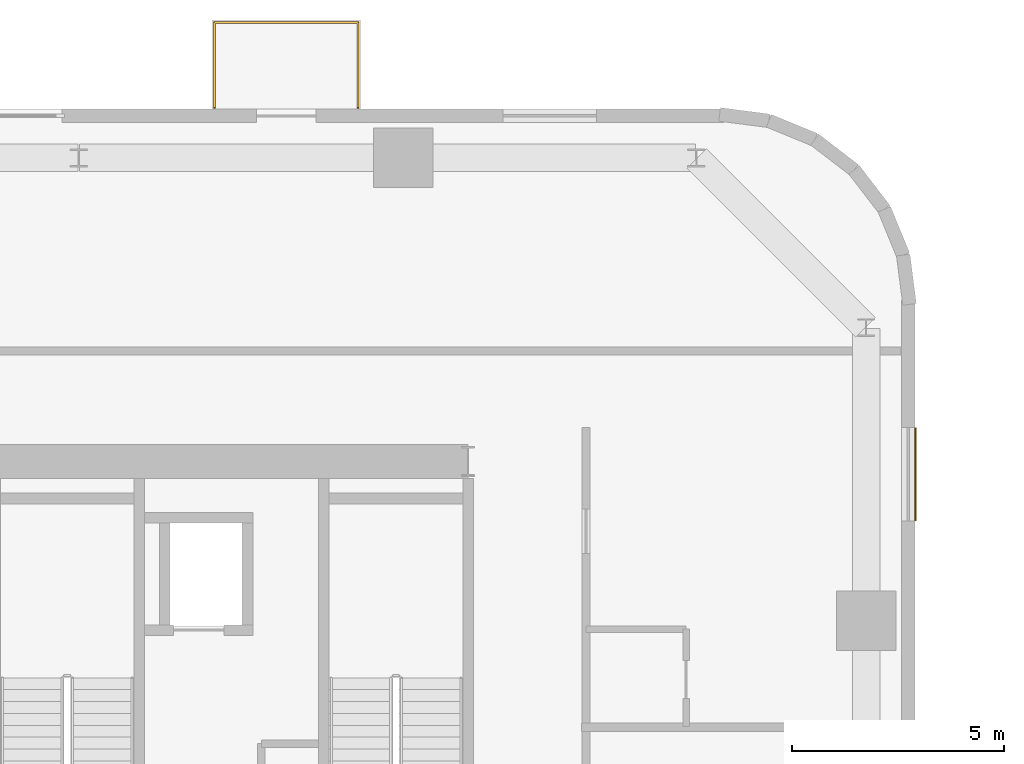
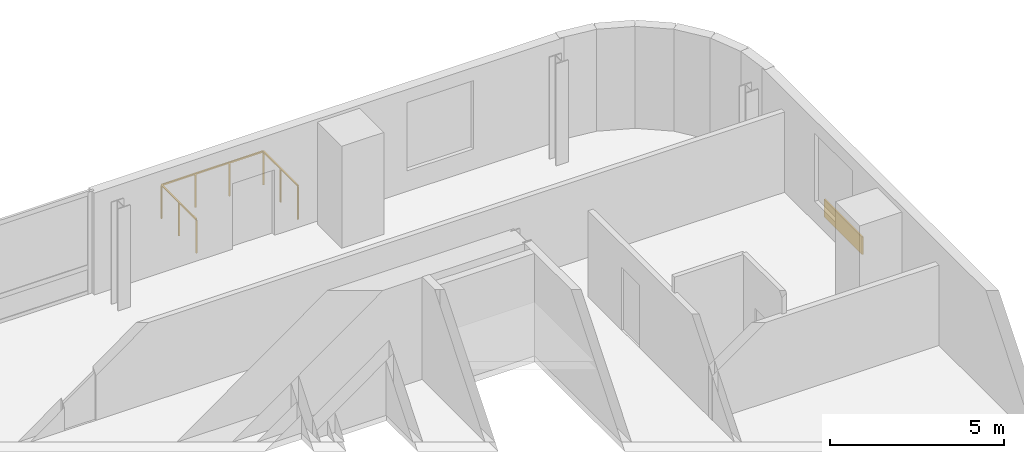
# One storey, part 14 of 14: 1 covering, 1 railing.
"""IFC4 building model written with IfcOpenShell, lengths in metres."""

from ifc_helpers import new_model, si_unit, direction, frame, origin, origin_2d, place, context, subcontext, project, spatial, rectangle, extrude, source, transform, mapped, material, layer, layer_set, type_object, element, save


model = new_model("IFC4")

# Units and contexts
model_context = context("Model", 3, precision=1e-05, world=origin(), true_north=direction((0.0, 1.0)))
body_context = subcontext(model_context, "Body", "Model", "MODEL_VIEW")
ifc_project = project(units=[si_unit("LENGTHUNIT", "METRE"), si_unit("AREAUNIT", "SQUARE_METRE"), si_unit("VOLUMEUNIT", "CUBIC_METRE"), si_unit("PLANEANGLEUNIT", "RADIAN"), si_unit("MASSUNIT", "GRAM", prefix="KILO")], contexts=[model_context])

# Site, building, storey
site_placement = place(None, origin())
site = spatial("IfcSite", under=ifc_project, at=site_placement, CompositionType="ELEMENT")
building_placement = place(site_placement, origin())
building = spatial("IfcBuilding", under=site, at=building_placement, Name="Vardaveli Station Tower", CompositionType="ELEMENT")
storey_placement = place(building_placement, frame((0.0, 0.0, 177.199951171875)))
storey = spatial("IfcBuildingStorey", under=building, at=storey_placement, Name="L45", CompositionType="ELEMENT", Elevation=177.199951171875)

# Covering
ifc_material_1 = material(Name="Ventilated honed travertine stone cladding", Category="masonry")
ifc_layer = layer(ifc_material_1, 0.044921875, Name="Ventilated honed travertine stone cladding")
ifc_layer_set = layer_set([ifc_layer], Name="Ventilated honed travertine stone cladding")
covering_type = type_object("IfcCoveringType", Name="COV-CLAD-TR45", PredefinedType="CLADDING", material=ifc_layer_set)
shared_shape_1 = source(origin(), body_context, "Body", "SweptSolid", [
    extrude(rectangle(XDim=2.199951171875, YDim=0.044921875, at=origin_2d()), origin(), (0.0, 0.0, 1.0), 0.6201171875),
])
covering_placement = place(storey_placement, frame((57.91455078125, 39.9951171875, 0.070068359375), z_axis=(0.0, 0.0, 1.0), x_axis=(0.0, 1.0, 0.0)))
element("IfcCovering", 1, at=covering_placement, inside=storey, type_object=covering_type, Name="CLD-TR-L45-E", PredefinedType="CLADDING", context=body_context, shape_type="MappedRepresentation", body=[
    mapped(shared_shape_1, transform((0.0, 0.0, 0.0), scale=1.0)),
])

# Railing
ifc_material_2 = material(Name="Laminated glass and stainless steel balustrade", Category="steel")
railing_type = type_object("IfcRailingType", Name="RL-BAL-1200", PredefinedType="BALUSTRADE", material=ifc_material_2)
shared_shape_2 = source(origin(), body_context, "Body", "SweptSolid", [
    extrude(rectangle(XDim=0.048095703125, YDim=0.048095703125, at=origin_2d()), frame((0.0, 0.0, 1.17578125), z_axis=(0.0, 1.0, 0.0), x_axis=(-1.0, 0.0, 0.0)), (0.0, 0.0, 1.0), 2.0),
    extrude(rectangle(XDim=0.048095703125, YDim=0.048095703125, at=origin_2d()), frame((0.0, 2.0, 1.17578125), z_axis=(1.0, 0.0, 0.0), x_axis=(0.0, 1.0, 0.0)), (0.0, 0.0, 1.0), 3.3798828125),
    extrude(rectangle(XDim=0.048095703125, YDim=0.048095703125, at=origin_2d()), frame((3.3798828125, 2.0, 1.17578125), z_axis=(0.0, -1.0, 0.0), x_axis=(1.0, 0.0, 0.0)), (0.0, 0.0, 1.0), 2.0),
    extrude(rectangle(XDim=0.0419921875, YDim=0.0419921875, at=origin_2d()), origin(), (0.0, 0.0, 1.0), 1.15185546875),
    extrude(rectangle(XDim=0.0419921875, YDim=0.0419921875, at=origin_2d()), frame((0.0, 1.0, 0.0)), (0.0, 0.0, 1.0), 1.15185546875),
    extrude(rectangle(XDim=0.0419921875, YDim=0.0419921875, at=origin_2d()), frame((0.0, 2.0, 0.0)), (0.0, 0.0, 1.0), 1.15185546875),
    extrude(rectangle(XDim=0.0419921875, YDim=0.0419921875, at=origin_2d()), frame((1.126708984375, 2.0, 0.0)), (0.0, 0.0, 1.0), 1.15185546875),
    extrude(rectangle(XDim=0.0419921875, YDim=0.0419921875, at=origin_2d()), frame((2.253173828125, 2.0, 0.0)), (0.0, 0.0, 1.0), 1.15185546875),
    extrude(rectangle(XDim=0.0419921875, YDim=0.0419921875, at=origin_2d()), frame((3.3798828125, 2.0, 0.0)), (0.0, 0.0, 1.0), 1.15185546875),
    extrude(rectangle(XDim=0.0419921875, YDim=0.0419921875, at=origin_2d()), frame((3.3798828125, 1.0, 0.0)), (0.0, 0.0, 1.0), 1.15185546875),
    extrude(rectangle(XDim=0.0419921875, YDim=0.0419921875, at=origin_2d()), frame((3.3798828125, 0.0, 0.0)), (0.0, 0.0, 1.0), 1.15185546875),
])
railing_placement = place(storey_placement, frame((41.399658203125, 48.639892578125, 0.0)))
element("IfcRailing", 2, at=railing_placement, inside=storey, type_object=railing_type, Name="RL-LOG-L45-02", PredefinedType="BALUSTRADE", context=body_context, shape_type="MappedRepresentation", body=[
    mapped(shared_shape_2, transform((0.0, 0.0, 0.0), scale=1.0)),
])

save(model, "model.ifc")
